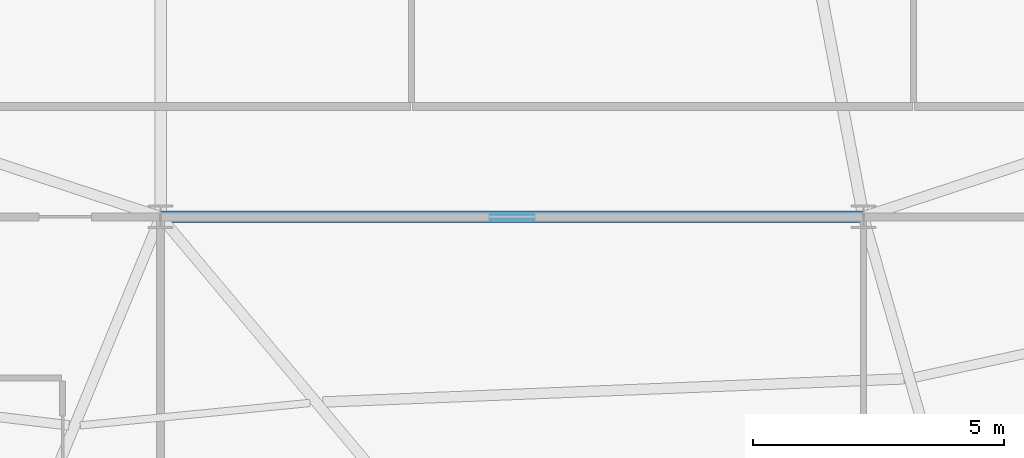
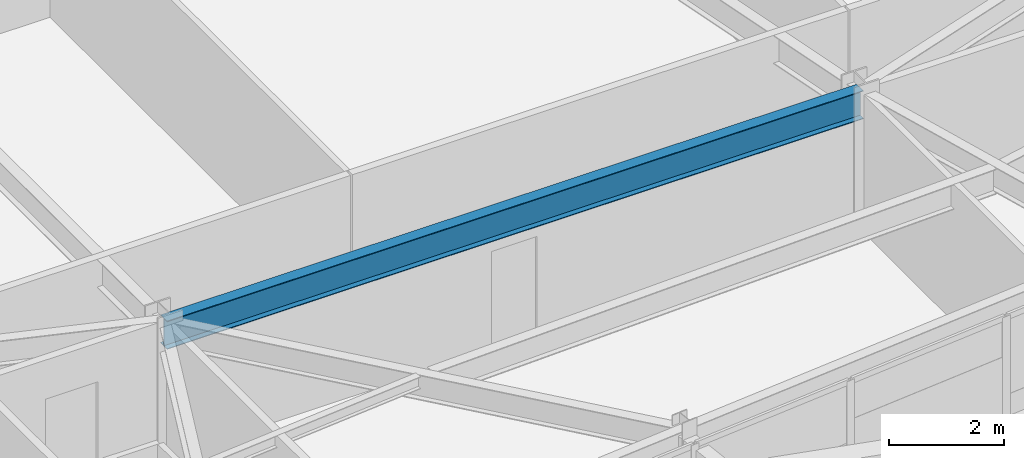
# One storey, part 12 of 53: 1 beam.
"""IFC4 building model written with IfcOpenShell, lengths in metres."""

import ifcopenshell
import ifcopenshell.guid

model = None  # the IFC model being written
_history = None  # IfcOwnerHistory: only IFC2X3 demands one
_inside = {}  # id of a spatial element -> (the spatial element, [elements in it])
_under = {}  # id of a project, library or spatial element -> (it, [spatial elements below it])
_declared = {}  # id of a project -> (the project, [libraries it declares])
_typed = {}  # id of a type object -> (the type object, [elements of that type])
_made_of = {}  # id of a material, layer set ... -> (it, [elements and type objects made of it])


def new_model(schema):
    """Start an empty IFC model of exactly this schema.

    Asked for "IFC4X3", IfcOpenShell would pick the latest addendum, in which some entities
    have other attributes; the version numbers below select the first issue.
    IFC2X3 requires an IfcOwnerHistory on every rooted entity: one is made here for all.
    """
    global model, _history
    if schema == "IFC4X3":
        model = ifcopenshell.file(schema_version=(4, 3, 0, 0))
    else:
        model = ifcopenshell.file(schema=schema)
    _inside.clear()
    _under.clear()
    _declared.clear()
    _typed.clear()
    _made_of.clear()
    _history = None
    if model.schema == "IFC2X3":
        org = make("IfcOrganization", Name="unknown")
        user = make(
            "IfcPersonAndOrganization",
            ThePerson=make("IfcPerson", FamilyName="unknown"),
            TheOrganization=org,
        )
        app = make(
            "IfcApplication",
            ApplicationDeveloper=org,
            Version="unknown",
            ApplicationFullName="unknown",
            ApplicationIdentifier="unknown",
        )
        _history = make(
            "IfcOwnerHistory",
            OwningUser=user,
            OwningApplication=app,
            ChangeAction="ADDED",
            CreationDate=0,
        )
    return model


def make(cls, **values):
    """One entity of the class cls with the attributes given. An attribute that is None is left unset."""
    return model.create_entity(
        cls, **{name: value for name, value in values.items() if value is not None}
    )


def rooted(cls, **values):
    """An entity with a GlobalId (a new one), such as an element, a storey or a relation."""
    return make(cls, GlobalId=ifcopenshell.guid.new(), OwnerHistory=_history, **values)


def si_unit(unit_type, name, prefix=None):
    """IfcSIUnit, for example si_unit("LENGTHUNIT", "METRE", prefix="MILLI")."""
    return make("IfcSIUnit", UnitType=unit_type, Prefix=prefix, Name=name)


def assignment(units):
    """IfcUnitAssignment: the units of a project."""
    return None if units is None else make("IfcUnitAssignment", Units=units)


def point(xyz):
    """IfcCartesianPoint."""
    return None if xyz is None else make("IfcCartesianPoint", Coordinates=xyz)


def direction(xyz):
    """IfcDirection."""
    return None if xyz is None else make("IfcDirection", DirectionRatios=xyz)


def frame(location, z_axis=None, x_axis=None):
    """IfcAxis2Placement3D, a coordinate frame: its origin and axes. An axis left out is left unset."""
    return make(
        "IfcAxis2Placement3D",
        Location=point(location),
        Axis=direction(z_axis),
        RefDirection=direction(x_axis),
    )


def frame_2d(location, x_axis=None):
    """IfcAxis2Placement2D, a coordinate frame in the plane: its origin and x axis."""
    return make(
        "IfcAxis2Placement2D", Location=point(location), RefDirection=direction(x_axis)
    )


def origin():
    """The frame at (0, 0, 0) with its axes left unset."""
    return frame((0.0, 0.0, 0.0))


def origin_2d():
    """The frame at (0, 0) in the plane with its x axis left unset."""
    return frame_2d((0.0, 0.0))


def place(relative_to, where):
    """IfcLocalPlacement: puts the frame where relative to a parent placement (None: the world)."""
    return make(
        "IfcLocalPlacement", PlacementRelTo=relative_to, RelativePlacement=where
    )


def context(
    kind, dimensions, precision=None, world=None, true_north=None, identifier=None
):
    """IfcGeometricRepresentationContext, for example the 3D "Model" context."""
    return make(
        "IfcGeometricRepresentationContext",
        ContextIdentifier=identifier,
        ContextType=kind,
        CoordinateSpaceDimension=dimensions,
        Precision=precision,
        WorldCoordinateSystem=world,
        TrueNorth=true_north,
    )


def subcontext(parent, identifier, kind, view, scale=None):
    """IfcGeometricRepresentationSubContext, for example "Body" below "Model"."""
    return make(
        "IfcGeometricRepresentationSubContext",
        ContextIdentifier=identifier,
        ContextType=kind,
        ParentContext=parent,
        TargetScale=scale,
        TargetView=view,
    )


def project(units=None, contexts=None):
    """IfcProject with its units and contexts."""
    return rooted(
        "IfcProject",
        Name="project",
        RepresentationContexts=contexts,
        UnitsInContext=assignment(units),
    )


def spatial(cls, under=None, at=None, **own):
    """A site, building, storey or space (cls), placed at a placement, below another one or the project."""
    s = rooted(cls, ObjectPlacement=at, **own)
    if under is not None:
        _under.setdefault(under.id(), (under, []))[1].append(s)
    return s


def profile(cls, at=None, kind="AREA", **sizes):
    """A parametric profile (cls). Its sizes go by their IFC names, for example OverallWidth=200.0."""
    return make(cls, ProfileType=kind, Position=at, **sizes)


def i_section(**sizes):
    """IfcIShapeProfileDef."""
    return profile("IfcIShapeProfileDef", **sizes)


def extrude(swept, where, along, depth):
    """IfcExtrudedAreaSolid: the profile swept, set in the frame where, extruded along a direction by depth."""
    return make(
        "IfcExtrudedAreaSolid",
        SweptArea=swept,
        Position=where,
        ExtrudedDirection=direction(along),
        Depth=depth,
    )


def shape(context_of_items, identifier, shape_type, items):
    """IfcShapeRepresentation: the items that make up one representation, for example the "Body"."""
    return make(
        "IfcShapeRepresentation",
        ContextOfItems=context_of_items,
        RepresentationIdentifier=identifier,
        RepresentationType=shape_type,
        Items=items,
    )


def source(mapping_origin, context_of_items, identifier, shape_type, items):
    """IfcRepresentationMap: a shape defined once, which mapped items show again and again."""
    return make(
        "IfcRepresentationMap",
        MappingOrigin=mapping_origin,
        MappedRepresentation=shape(context_of_items, identifier, shape_type, items),
    )


def transform(
    local_origin,
    x_axis=None,
    y_axis=None,
    z_axis=None,
    scale=None,
    scale2=None,
    scale3=None,
    uniform=True,
):
    """IfcCartesianTransformationOperator3D, or its non-uniform kind. x_axis, y_axis, z_axis: its Axis1, 2, 3."""
    if uniform:
        return make(
            "IfcCartesianTransformationOperator3D",
            Axis1=direction(x_axis),
            Axis2=direction(y_axis),
            LocalOrigin=point(local_origin),
            Scale=scale,
            Axis3=direction(z_axis),
        )
    return make(
        "IfcCartesianTransformationOperator3DnonUniform",
        Axis1=direction(x_axis),
        Axis2=direction(y_axis),
        LocalOrigin=point(local_origin),
        Scale=scale,
        Axis3=direction(z_axis),
        Scale2=scale2,
        Scale3=scale3,
    )


def mapped(mapping_source, mapping_target):
    """IfcMappedItem: shows the shape of a source again, moved by a transform."""
    return make(
        "IfcMappedItem", MappingSource=mapping_source, MappingTarget=mapping_target
    )


def material(Name=None, Category=None):
    """IfcMaterial."""
    return make("IfcMaterial", Name=Name, Category=Category)


def material_profile(
    of_material, cross_section, Name=None, Category=None, Priority=None
):
    """IfcMaterialProfile: a cross section and its material."""
    return make(
        "IfcMaterialProfile",
        Name=Name,
        Material=of_material,
        Profile=cross_section,
        Priority=Priority,
        Category=Category,
    )


def profile_set(profiles, Name=None, composite=None):
    """IfcMaterialProfileSet."""
    return make(
        "IfcMaterialProfileSet",
        Name=Name,
        MaterialProfiles=profiles,
        CompositeProfile=composite,
    )


def made_of(thing, what):
    """Note that an element or type object is made of a material, layer set ...; save() writes the relation."""
    if what is not None:
        _made_of.setdefault(what.id(), (what, []))[1].append(thing)
    return thing


def type_object(cls, material=None, **own):
    """A type object (cls), such as IfcWallType, which elements share."""
    return made_of(rooted(cls, **own), material)


def element(
    cls,
    number,
    at=None,
    inside=None,
    cuts=None,
    type_object=None,
    material=None,
    context=None,
    identifier="Body",
    shape_type=None,
    held_by="IfcProductDefinitionShape",
    body=None,
    shapes=None,
    **own,
):
    """One element of the class cls, such as IfcWall. Its Tag is "e" and its number.

    at: its placement. inside: the storey or other place that contains it. cuts: it is an
    opening in that element (IfcRelVoidsElement). A single representation is given by context,
    identifier, shape_type and body (its items); several are given by shapes. held_by: the class
    of the entity that holds the representations. save() writes the other relations.
    """
    e = rooted(cls, Tag="e%d" % number, ObjectPlacement=at, **own)
    if body is not None:
        shapes = [shape(context, identifier, shape_type, body)]
    if shapes is not None:
        e.Representation = make(held_by, Representations=shapes)
    if inside is not None:
        _inside.setdefault(inside.id(), (inside, []))[1].append(e)
    if cuts is not None:
        rooted(
            "IfcRelVoidsElement", RelatingBuildingElement=cuts, RelatedOpeningElement=e
        )
    if type_object is not None:
        _typed.setdefault(type_object.id(), (type_object, []))[1].append(e)
    return made_of(e, material)


def aggregate(whole, parts):
    """IfcRelAggregates: a whole, such as a stair, and the parts it consists of."""
    return rooted("IfcRelAggregates", RelatingObject=whole, RelatedObjects=parts)


def save(model, path):
    """Write the relations noted so far, then the file.

    IfcRelAggregates (storeys below a building ...), IfcRelContainedInSpatialStructure (elements
    in a storey), IfcRelDefinesByType, IfcRelAssociatesMaterial and IfcRelDeclares: one each for
    every whole, place, type object, material and project.
    """
    for whole, parts in _under.values():
        aggregate(whole, parts)
    for where, things in _inside.values():
        rooted(
            "IfcRelContainedInSpatialStructure",
            RelatedElements=things,
            RelatingStructure=where,
        )
    for kind, things in _typed.values():
        rooted("IfcRelDefinesByType", RelatedObjects=things, RelatingType=kind)
    for what, things in _made_of.values():
        rooted("IfcRelAssociatesMaterial", RelatedObjects=things, RelatingMaterial=what)
    for by, libraries in _declared.values():
        rooted("IfcRelDeclares", RelatingContext=by, RelatedDefinitions=libraries)
    model.write(path)


model = new_model("IFC4")

# Units and contexts
model_context = context("Model", 3, precision=1e-05, world=origin(), true_north=direction((0.0, 1.0)))
body_context = subcontext(model_context, "Body", "Model", "MODEL_VIEW")
ifc_project = project(units=[si_unit("LENGTHUNIT", "METRE"), si_unit("AREAUNIT", "SQUARE_METRE"), si_unit("VOLUMEUNIT", "CUBIC_METRE"), si_unit("PLANEANGLEUNIT", "RADIAN"), si_unit("MASSUNIT", "GRAM", prefix="KILO")], contexts=[model_context])

# Site, building, storey
site_placement = place(None, origin())
site = spatial("IfcSite", under=ifc_project, at=site_placement, CompositionType="ELEMENT")
building_placement = place(site_placement, origin())
building = spatial("IfcBuilding", under=site, at=building_placement, Name="Taldren Reach Tower", CompositionType="ELEMENT")
storey_placement = place(building_placement, frame((0.0, 0.0, 84.0)))
storey = spatial("IfcBuildingStorey", under=building, at=storey_placement, Name="L25", CompositionType="ELEMENT", Elevation=84.0)

# Beam
ifc_material = material(Name="Steel Gr 350 (350PLUS)", Category="steel")
ifc_material_profile = material_profile(ifc_material, i_section(OverallWidth=0.22802734375, OverallDepth=0.60205078125, WebThickness=0.010498046875, FlangeThickness=0.014892578125, at=origin_2d()), Name="610UB101")
ifc_profile_set = profile_set([ifc_material_profile], Name="Steel Gr 350 (350PLUS)")
beam_type = type_object("IfcBeamType", Name="BM-UB610B", PredefinedType="BEAM", material=ifc_profile_set)
shared_shape = source(origin(), body_context, "Body", "SweptSolid", [
    extrude(i_section(OverallWidth=0.22802734375, OverallDepth=0.60205078125, WebThickness=0.010498046875, FlangeThickness=0.014892578125, at=origin_2d()), origin(), (0.0, 0.0, 1.0), 14.0),
])
beam_placement = place(storey_placement, frame((28.0, 9.199951171875, 2.62890625), z_axis=(1.0, 0.0, 0.0), x_axis=(0.0, 1.0, 0.0)))
element("IfcBeam", 1, at=beam_placement, inside=storey, type_object=beam_type, Name="Core-spine girder L25-SP11", PredefinedType="BEAM", context=body_context, shape_type="MappedRepresentation", body=[
    mapped(shared_shape, transform((0.0, 0.0, 0.0), scale=1.0)),
])

save(model, "model.ifc")
